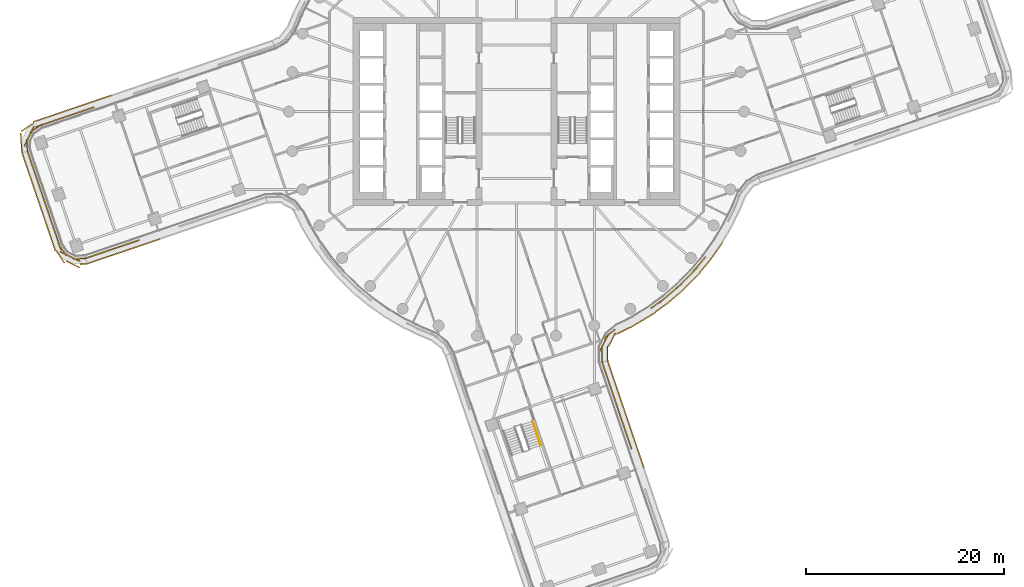
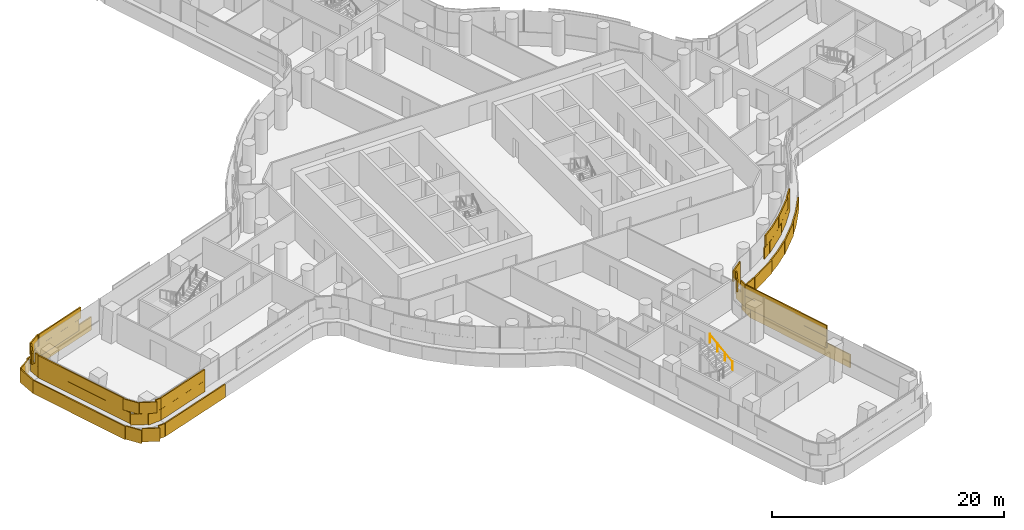
# One storey, part 24 of 29: 5 coverings, 1 railing.
"""IFC4 building model written with IfcOpenShell, lengths in metres."""

from ifc_helpers import new_model, si_unit, direction, frame, origin, origin_2d, place, context, subcontext, project, spatial, rectangle, circle, extrude, material, layer, layer_set, type_object, element, save


model = new_model("IFC4")

# Units and contexts
model_context = context("Model", 3, precision=1e-05, world=origin(), true_north=direction((0.0, 1.0)))
body_context = subcontext(model_context, "Body", "Model", "MODEL_VIEW")
ifc_project = project(units=[si_unit("LENGTHUNIT", "METRE"), si_unit("AREAUNIT", "SQUARE_METRE"), si_unit("VOLUMEUNIT", "CUBIC_METRE"), si_unit("PLANEANGLEUNIT", "RADIAN"), si_unit("MASSUNIT", "GRAM", prefix="KILO")], contexts=[model_context])

# Site, building, storey
site_placement = place(None, origin())
site = spatial("IfcSite", under=ifc_project, at=site_placement, CompositionType="ELEMENT")
building_placement = place(site_placement, origin())
building = spatial("IfcBuilding", under=site, at=building_placement, Name="Tamarind Cross Interchange Tower", CompositionType="ELEMENT")
storey_placement = place(building_placement, frame((0.0, 0.0, 102.25)))
storey = spatial("IfcBuildingStorey", under=building, at=storey_placement, Name="L24", CompositionType="ELEMENT", Elevation=102.25)

# Railing
ifc_material_1 = material(Name="Stair handrail")
railing_type = type_object("IfcRailingType", Name="Stair handrail", PredefinedType="HANDRAIL", material=ifc_material_1)
railing_placement = place(storey_placement, frame((2.463623046875, -33.732177734375, 2.04541015625)))
element("IfcRailing", 1, at=railing_placement, inside=storey, type_object=railing_type, Name="L24 ST6 stair handrail 2", PredefinedType="HANDRAIL", context=body_context, shape_type="SweptSolid", body=[
    extrude(circle(Radius=0.02392578125, at=origin_2d()), frame((0.0, 0.0, 0.8759765625), z_axis=(-0.269588544984, 0.791646408968, 0.548286402878), x_axis=(-0.946616378448, -0.322362268348, 0.0)), (0.0, 0.0, 1.0), 3.10888671875),
    extrude(circle(Radius=0.02099609375, at=origin_2d()), origin(), (0.0, 0.0, 1.0), 0.851806640625),
    extrude(circle(Radius=0.02099609375, at=origin_2d()), frame((-0.279296875, 0.8203125, 0.568115234375)), (0.0, 0.0, 1.0), 0.851806640625),
    extrude(circle(Radius=0.02099609375, at=origin_2d()), frame((-0.558837890625, 1.640869140625, 1.136474609375)), (0.0, 0.0, 1.0), 0.851806640625),
    extrude(circle(Radius=0.02099609375, at=origin_2d()), frame((-0.838134765625, 2.461181640625, 1.70458984375)), (0.0, 0.0, 1.0), 0.851806640625),
])

# Coverings
ifc_material_2 = material(Name="Terracotta", Category="masonry")
ifc_layer = layer(ifc_material_2, 0.1201171875)
ifc_layer_set = layer_set([ifc_layer], Name="Terracotta")
covering_type = type_object("IfcCoveringType", Name="Terracotta baguette screen unit", PredefinedType="MOLDING", material=ifc_layer_set)
covering_1_placement = place(storey_placement, origin())
element("IfcCovering", 2, at=covering_1_placement, inside=storey, type_object=covering_type, Name="SCR-L24-00-00", PredefinedType="MOLDING", context=body_context, shape_type="SweptSolid", body=[
    extrude(rectangle(XDim=1.510009765625, YDim=0.1201171875, at=origin_2d()), frame((-49.1572265625, -4.746337890625, 1.404052734375), z_axis=(0.0, 0.0, 1.0), x_axis=(0.322371434957, -0.946613256786, 0.0)), (0.0, 0.0, 1.0), 1.1669921875),
    extrude(rectangle(XDim=1.52001953125, YDim=0.1201171875, at=origin_2d()), frame((-48.673828125, -6.166259765625, 1.404052734375), z_axis=(0.0, 0.0, 1.0), x_axis=(0.322371434957, -0.946613256786, 0.0)), (0.0, 0.0, 1.0), 1.1669921875),
    extrude(rectangle(XDim=1.52001953125, YDim=0.1201171875, at=origin_2d()), frame((-48.190185546875, -7.586181640625, 1.404052734375), z_axis=(0.0, 0.0, 1.0), x_axis=(0.322371434957, -0.946613256786, 0.0)), (0.0, 0.0, 1.0), 1.1669921875),
    extrude(rectangle(XDim=1.52001953125, YDim=0.1201171875, at=origin_2d()), frame((-47.70654296875, -9.006103515625, 1.404052734375), z_axis=(0.0, 0.0, 1.0), x_axis=(0.322371434957, -0.946613256786, 0.0)), (0.0, 0.0, 1.0), 1.1669921875),
    extrude(rectangle(XDim=1.52001953125, YDim=0.1201171875, at=origin_2d()), frame((-47.22314453125, -10.426025390625, 1.404052734375), z_axis=(0.0, 0.0, 1.0), x_axis=(0.322371434957, -0.946613256786, 0.0)), (0.0, 0.0, 1.0), 1.1669921875),
    extrude(rectangle(XDim=1.52001953125, YDim=0.1201171875, at=origin_2d()), frame((-46.739501953125, -11.845947265625, 1.404052734375), z_axis=(0.0, 0.0, 1.0), x_axis=(0.322371434957, -0.946613256786, 0.0)), (0.0, 0.0, 1.0), 1.1669921875),
    extrude(rectangle(XDim=1.52001953125, YDim=0.1201171875, at=origin_2d()), frame((-46.255859375, -13.265869140625, 1.404052734375), z_axis=(0.0, 0.0, 1.0), x_axis=(0.322371434957, -0.946613256786, 0.0)), (0.0, 0.0, 1.0), 1.1669921875),
    extrude(rectangle(XDim=1.52001953125, YDim=0.1201171875, at=origin_2d()), frame((-45.4326171875, -14.4833984375, 1.404052734375), z_axis=(0.0, 0.0, 1.0), x_axis=(0.897307680754, -0.441405625316, 0.0)), (0.0, 0.0, 1.0), 1.1669921875),
    extrude(rectangle(XDim=1.259521484375, YDim=0.1201171875, at=origin_2d()), frame((-44.154052734375, -14.863525390625, 1.404052734375), z_axis=(0.0, 0.0, 1.0), x_axis=(0.997794059201, 0.06638535548, 0.0)), (0.0, 0.0, 1.0), 1.1669921875),
    extrude(rectangle(XDim=0.760009765625, YDim=0.1201171875, at=origin_2d()), frame((-49.278076171875, -4.391357421875, 2.5791015625), z_axis=(0.0, 0.0, 1.0), x_axis=(0.322371434957, -0.946613256786, 0.0)), (0.0, 0.0, 1.0), 1.1669921875),
    extrude(rectangle(XDim=1.52001953125, YDim=0.1201171875, at=origin_2d()), frame((-48.91552734375, -5.456298828125, 2.5791015625), z_axis=(0.0, 0.0, 1.0), x_axis=(0.322371434957, -0.946613256786, 0.0)), (0.0, 0.0, 1.0), 1.1669921875),
    extrude(rectangle(XDim=1.52001953125, YDim=0.1201171875, at=origin_2d()), frame((-48.431884765625, -6.876220703125, 2.5791015625), z_axis=(0.0, 0.0, 1.0), x_axis=(0.322371434957, -0.946613256786, 0.0)), (0.0, 0.0, 1.0), 1.1669921875),
    extrude(rectangle(XDim=1.52001953125, YDim=0.1201171875, at=origin_2d()), frame((-47.948486328125, -8.296142578125, 2.5791015625), z_axis=(0.0, 0.0, 1.0), x_axis=(0.322371434957, -0.946613256786, 0.0)), (0.0, 0.0, 1.0), 1.1669921875),
    extrude(rectangle(XDim=1.52001953125, YDim=0.1201171875, at=origin_2d()), frame((-47.46484375, -9.716064453125, 2.5791015625), z_axis=(0.0, 0.0, 1.0), x_axis=(0.322371434957, -0.946613256786, 0.0)), (0.0, 0.0, 1.0), 1.1669921875),
    extrude(rectangle(XDim=1.52001953125, YDim=0.1201171875, at=origin_2d()), frame((-46.981201171875, -11.135986328125, 2.5791015625), z_axis=(0.0, 0.0, 1.0), x_axis=(0.322371434957, -0.946613256786, 0.0)), (0.0, 0.0, 1.0), 1.1669921875),
    extrude(rectangle(XDim=1.52001953125, YDim=0.1201171875, at=origin_2d()), frame((-46.497802734375, -12.555908203125, 2.5791015625), z_axis=(0.0, 0.0, 1.0), x_axis=(0.322371434957, -0.946613256786, 0.0)), (0.0, 0.0, 1.0), 1.1669921875),
    extrude(rectangle(XDim=1.52001953125, YDim=0.1201171875, at=origin_2d()), frame((-45.90283203125, -13.920654296875, 2.5791015625), z_axis=(0.0, 0.0, 1.0), x_axis=(0.556388433886, -0.830922325274, 0.0)), (0.0, 0.0, 1.0), 1.1669921875),
    extrude(rectangle(XDim=1.52001953125, YDim=0.1201171875, at=origin_2d()), frame((-44.759521484375, -14.814453125, 2.5791015625), z_axis=(0.0, 0.0, 1.0), x_axis=(0.897307680754, -0.441405625316, 0.0)), (0.0, 0.0, 1.0), 1.1669921875),
    extrude(rectangle(XDim=0.509521484375, YDim=0.1201171875, at=origin_2d()), frame((-43.780029296875, -14.838623046875, 2.5791015625), z_axis=(0.0, 0.0, 1.0), x_axis=(0.997794059201, 0.06638535548, 0.0)), (0.0, 0.0, 1.0), 1.1669921875),
    extrude(rectangle(XDim=1.510009765625, YDim=0.1201171875, at=origin_2d()), frame((-49.723388671875, -4.864501953125, 0.00390625), z_axis=(0.0, 0.0, 1.0), x_axis=(0.322371434957, -0.946613256786, 0.0)), (0.0, 0.0, 1.0), 1.39208984375),
    extrude(rectangle(XDim=1.52001953125, YDim=0.1201171875, at=origin_2d()), frame((-49.241455078125, -6.27978515625, 0.00390625), z_axis=(0.0, 0.0, 1.0), x_axis=(0.322371434957, -0.946613256786, 0.0)), (0.0, 0.0, 1.0), 1.39208984375),
    extrude(rectangle(XDim=1.52001953125, YDim=0.1201171875, at=origin_2d()), frame((-48.7578125, -7.69970703125, 0.00390625), z_axis=(0.0, 0.0, 1.0), x_axis=(0.322371434957, -0.946613256786, 0.0)), (0.0, 0.0, 1.0), 1.39208984375),
    extrude(rectangle(XDim=1.52001953125, YDim=0.1201171875, at=origin_2d()), frame((-48.2744140625, -9.11962890625, 0.00390625), z_axis=(0.0, 0.0, 1.0), x_axis=(0.322371434957, -0.946613256786, 0.0)), (0.0, 0.0, 1.0), 1.39208984375),
    extrude(rectangle(XDim=1.52001953125, YDim=0.1201171875, at=origin_2d()), frame((-47.790771484375, -10.53955078125, 0.00390625), z_axis=(0.0, 0.0, 1.0), x_axis=(0.322371434957, -0.946613256786, 0.0)), (0.0, 0.0, 1.0), 1.39208984375),
    extrude(rectangle(XDim=1.52001953125, YDim=0.1201171875, at=origin_2d()), frame((-47.30712890625, -11.95947265625, 0.00390625), z_axis=(0.0, 0.0, 1.0), x_axis=(0.322371434957, -0.946613256786, 0.0)), (0.0, 0.0, 1.0), 1.39208984375),
    extrude(rectangle(XDim=1.52001953125, YDim=0.1201171875, at=origin_2d()), frame((-46.82373046875, -13.37939453125, 0.00390625), z_axis=(0.0, 0.0, 1.0), x_axis=(0.322371434957, -0.946613256786, 0.0)), (0.0, 0.0, 1.0), 1.39208984375),
    extrude(rectangle(XDim=1.52001953125, YDim=0.1201171875, at=origin_2d()), frame((-46.088623046875, -14.6748046875, 0.00390625), z_axis=(0.0, 0.0, 1.0), x_axis=(0.556388433886, -0.830922325274, 0.0)), (0.0, 0.0, 1.0), 1.39208984375),
    extrude(rectangle(XDim=1.52001953125, YDim=0.1201171875, at=origin_2d()), frame((-44.8193359375, -15.4248046875, 0.00390625), z_axis=(0.0, 0.0, 1.0), x_axis=(0.897307680754, -0.441405625316, 0.0)), (0.0, 0.0, 1.0), 1.39208984375),
    extrude(rectangle(XDim=0.6767578125, YDim=0.1201171875, at=origin_2d()), frame((-43.755126953125, -15.412353515625, 0.00390625), z_axis=(0.0, 0.0, 1.0), x_axis=(0.997794059201, 0.06638535548, 0.0)), (0.0, 0.0, 1.0), 1.39208984375),
])
covering_2_placement = place(storey_placement, origin())
element("IfcCovering", 3, at=covering_2_placement, inside=storey, type_object=covering_type, Name="SCR-L24-01-00", PredefinedType="MOLDING", context=body_context, shape_type="SweptSolid", body=[
    extrude(rectangle(XDim=1.510009765625, YDim=0.1201171875, at=origin_2d()), frame((-42.8203125, -14.58154296875, 1.404052734375), z_axis=(0.0, 0.0, 1.0), x_axis=(0.947092988773, 0.320959297445, 0.0)), (0.0, 0.0, 1.0), 1.1669921875),
    extrude(rectangle(XDim=1.52001953125, YDim=0.1201171875, at=origin_2d()), frame((-41.399658203125, -14.10009765625, 1.404052734375), z_axis=(0.0, 0.0, 1.0), x_axis=(0.947092988773, 0.320959297445, 0.0)), (0.0, 0.0, 1.0), 1.1669921875),
    extrude(rectangle(XDim=1.52001953125, YDim=0.1201171875, at=origin_2d()), frame((-39.97900390625, -13.61865234375, 1.404052734375), z_axis=(0.0, 0.0, 1.0), x_axis=(0.947092988773, 0.320959297445, 0.0)), (0.0, 0.0, 1.0), 1.1669921875),
    extrude(rectangle(XDim=1.256591796875, YDim=0.1201171875, at=origin_2d()), frame((-38.678466796875, -13.177734375, 1.404052734375), z_axis=(0.0, 0.0, 1.0), x_axis=(0.947092988773, 0.320959297445, 0.0)), (0.0, 0.0, 1.0), 1.1669921875),
    extrude(rectangle(XDim=0.760009765625, YDim=0.1201171875, at=origin_2d()), frame((-43.175537109375, -14.701904296875, 2.5791015625), z_axis=(0.0, 0.0, 1.0), x_axis=(0.947092988773, 0.320959297445, 0.0)), (0.0, 0.0, 1.0), 1.1669921875),
    extrude(rectangle(XDim=1.52001953125, YDim=0.1201171875, at=origin_2d()), frame((-42.110107421875, -14.3408203125, 2.5791015625), z_axis=(0.0, 0.0, 1.0), x_axis=(0.947092988773, 0.320959297445, 0.0)), (0.0, 0.0, 1.0), 1.1669921875),
    extrude(rectangle(XDim=1.52001953125, YDim=0.1201171875, at=origin_2d()), frame((-40.689453125, -13.859375, 2.5791015625), z_axis=(0.0, 0.0, 1.0), x_axis=(0.947092988773, 0.320959297445, 0.0)), (0.0, 0.0, 1.0), 1.1669921875),
    extrude(rectangle(XDim=1.52001953125, YDim=0.1201171875, at=origin_2d()), frame((-39.268798828125, -13.3779296875, 2.5791015625), z_axis=(0.0, 0.0, 1.0), x_axis=(0.947092988773, 0.320959297445, 0.0)), (0.0, 0.0, 1.0), 1.1669921875),
    extrude(rectangle(XDim=0.506591796875, YDim=0.1201171875, at=origin_2d()), frame((-38.3232421875, -13.057373046875, 2.5791015625), z_axis=(0.0, 0.0, 1.0), x_axis=(0.947092988773, 0.320959297445, 0.0)), (0.0, 0.0, 1.0), 1.1669921875),
    extrude(rectangle(XDim=1.510009765625, YDim=0.1201171875, at=origin_2d()), frame((-42.70263671875, -15.1474609375, 0.00390625), z_axis=(0.0, 0.0, 1.0), x_axis=(0.947092988773, 0.320959297445, 0.0)), (0.0, 0.0, 1.0), 1.39208984375),
    extrude(rectangle(XDim=1.52001953125, YDim=0.1201171875, at=origin_2d()), frame((-41.28662109375, -14.667724609375, 0.00390625), z_axis=(0.0, 0.0, 1.0), x_axis=(0.947092988773, 0.320959297445, 0.0)), (0.0, 0.0, 1.0), 1.39208984375),
    extrude(rectangle(XDim=1.52001953125, YDim=0.1201171875, at=origin_2d()), frame((-39.865966796875, -14.186279296875, 0.00390625), z_axis=(0.0, 0.0, 1.0), x_axis=(0.947092988773, 0.320959297445, 0.0)), (0.0, 0.0, 1.0), 1.39208984375),
    extrude(rectangle(XDim=1.52001953125, YDim=0.1201171875, at=origin_2d()), frame((-38.4453125, -13.704833984375, 0.00390625), z_axis=(0.0, 0.0, 1.0), x_axis=(0.947092988773, 0.320959297445, 0.0)), (0.0, 0.0, 1.0), 1.39208984375),
    extrude(rectangle(XDim=1.52001953125, YDim=0.1201171875, at=origin_2d()), frame((-37.024658203125, -13.223388671875, 0.00390625), z_axis=(0.0, 0.0, 1.0), x_axis=(0.947092988773, 0.320959297445, 0.0)), (0.0, 0.0, 1.0), 1.39208984375),
    extrude(rectangle(XDim=0.350341796875, YDim=0.1201171875, at=origin_2d()), frame((-36.157958984375, -12.9296875, 0.00390625), z_axis=(0.0, 0.0, 1.0), x_axis=(0.947092988773, 0.320959297445, 0.0)), (0.0, 0.0, 1.0), 1.39208984375),
])
covering_3_placement = place(storey_placement, origin())
element("IfcCovering", 4, at=covering_3_placement, inside=storey, type_object=covering_type, Name="SCR-L24-05-01", PredefinedType="MOLDING", context=body_context, shape_type="SweptSolid", body=[
    extrude(rectangle(XDim=0.5634765625, YDim=0.1201171875, at=origin_2d()), frame((11.541015625, -33.848388671875, 1.404052734375), z_axis=(0.0, 0.0, 1.0), x_axis=(-0.320959297445, 0.947092988773, 0.0)), (0.0, 0.0, 1.0), 1.1669921875),
    extrude(rectangle(XDim=1.52001953125, YDim=0.1201171875, at=origin_2d()), frame((11.21142578125, -32.8759765625, 1.404052734375), z_axis=(0.0, 0.0, 1.0), x_axis=(-0.320959297445, 0.947092988773, 0.0)), (0.0, 0.0, 1.0), 1.1669921875),
    extrude(rectangle(XDim=1.52001953125, YDim=0.1201171875, at=origin_2d()), frame((10.72998046875, -31.455322265625, 1.404052734375), z_axis=(0.0, 0.0, 1.0), x_axis=(-0.320959297445, 0.947092988773, 0.0)), (0.0, 0.0, 1.0), 1.1669921875),
    extrude(rectangle(XDim=1.52001953125, YDim=0.1201171875, at=origin_2d()), frame((10.24853515625, -30.03466796875, 1.404052734375), z_axis=(0.0, 0.0, 1.0), x_axis=(-0.320959297445, 0.947092988773, 0.0)), (0.0, 0.0, 1.0), 1.1669921875),
    extrude(rectangle(XDim=1.52001953125, YDim=0.1201171875, at=origin_2d()), frame((9.76708984375, -28.614013671875, 1.404052734375), z_axis=(0.0, 0.0, 1.0), x_axis=(-0.320959297445, 0.947092988773, 0.0)), (0.0, 0.0, 1.0), 1.1669921875),
    extrude(rectangle(XDim=1.52001953125, YDim=0.1201171875, at=origin_2d()), frame((9.28564453125, -27.193359375, 1.404052734375), z_axis=(0.0, 0.0, 1.0), x_axis=(-0.320959297445, 0.947092988773, 0.0)), (0.0, 0.0, 1.0), 1.1669921875),
    extrude(rectangle(XDim=1.270751953125, YDim=0.1201171875, at=origin_2d()), frame((8.842529296875, -25.885986328125, 1.404052734375), z_axis=(0.0, 0.0, 1.0), x_axis=(-0.320959297445, 0.947092988773, 0.0)), (0.0, 0.0, 1.0), 1.1669921875),
    extrude(rectangle(XDim=1.3134765625, YDim=0.1201171875, at=origin_2d()), frame((11.420654296875, -33.4931640625, 2.5791015625), z_axis=(0.0, 0.0, 1.0), x_axis=(-0.320959297445, 0.947092988773, 0.0)), (0.0, 0.0, 1.0), 1.1669921875),
    extrude(rectangle(XDim=1.52001953125, YDim=0.1201171875, at=origin_2d()), frame((10.970703125, -32.16552734375, 2.5791015625), z_axis=(0.0, 0.0, 1.0), x_axis=(-0.320959297445, 0.947092988773, 0.0)), (0.0, 0.0, 1.0), 1.1669921875),
    extrude(rectangle(XDim=1.52001953125, YDim=0.1201171875, at=origin_2d()), frame((10.4892578125, -30.744873046875, 2.5791015625), z_axis=(0.0, 0.0, 1.0), x_axis=(-0.320959297445, 0.947092988773, 0.0)), (0.0, 0.0, 1.0), 1.1669921875),
    extrude(rectangle(XDim=1.52001953125, YDim=0.1201171875, at=origin_2d()), frame((10.0078125, -29.32421875, 2.5791015625), z_axis=(0.0, 0.0, 1.0), x_axis=(-0.320959297445, 0.947092988773, 0.0)), (0.0, 0.0, 1.0), 1.1669921875),
    extrude(rectangle(XDim=1.52001953125, YDim=0.1201171875, at=origin_2d()), frame((9.5263671875, -27.903564453125, 2.5791015625), z_axis=(0.0, 0.0, 1.0), x_axis=(-0.320959297445, 0.947092988773, 0.0)), (0.0, 0.0, 1.0), 1.1669921875),
    extrude(rectangle(XDim=1.52001953125, YDim=0.1201171875, at=origin_2d()), frame((9.044921875, -26.48291015625, 2.5791015625), z_axis=(0.0, 0.0, 1.0), x_axis=(-0.320959297445, 0.947092988773, 0.0)), (0.0, 0.0, 1.0), 1.1669921875),
    extrude(rectangle(XDim=0.520751953125, YDim=0.1201171875, at=origin_2d()), frame((8.72216796875, -25.53076171875, 2.5791015625), z_axis=(0.0, 0.0, 1.0), x_axis=(-0.320959297445, 0.947092988773, 0.0)), (0.0, 0.0, 1.0), 1.1669921875),
    extrude(rectangle(XDim=1.169677734375, YDim=0.1201171875, at=origin_2d()), frame((12.685791015625, -35.438232421875, 0.00390625), z_axis=(0.0, 0.0, 1.0), x_axis=(-0.320959297445, 0.947092988773, 0.0)), (0.0, 0.0, 1.0), 1.39208984375),
    extrude(rectangle(XDim=1.52001953125, YDim=0.1201171875, at=origin_2d()), frame((12.260498046875, -34.183349609375, 0.00390625), z_axis=(0.0, 0.0, 1.0), x_axis=(-0.320959297445, 0.947092988773, 0.0)), (0.0, 0.0, 1.0), 1.39208984375),
    extrude(rectangle(XDim=1.52001953125, YDim=0.1201171875, at=origin_2d()), frame((11.779052734375, -32.7626953125, 0.00390625), z_axis=(0.0, 0.0, 1.0), x_axis=(-0.320959297445, 0.947092988773, 0.0)), (0.0, 0.0, 1.0), 1.39208984375),
    extrude(rectangle(XDim=1.52001953125, YDim=0.1201171875, at=origin_2d()), frame((11.297607421875, -31.342041015625, 0.00390625), z_axis=(0.0, 0.0, 1.0), x_axis=(-0.320959297445, 0.947092988773, 0.0)), (0.0, 0.0, 1.0), 1.39208984375),
    extrude(rectangle(XDim=1.52001953125, YDim=0.1201171875, at=origin_2d()), frame((10.816162109375, -29.92138671875, 0.00390625), z_axis=(0.0, 0.0, 1.0), x_axis=(-0.320959297445, 0.947092988773, 0.0)), (0.0, 0.0, 1.0), 1.39208984375),
    extrude(rectangle(XDim=1.52001953125, YDim=0.1201171875, at=origin_2d()), frame((10.334716796875, -28.5009765625, 0.00390625), z_axis=(0.0, 0.0, 1.0), x_axis=(-0.320959297445, 0.947092988773, 0.0)), (0.0, 0.0, 1.0), 1.39208984375),
    extrude(rectangle(XDim=1.52001953125, YDim=0.1201171875, at=origin_2d()), frame((9.853271484375, -27.080322265625, 0.00390625), z_axis=(0.0, 0.0, 1.0), x_axis=(-0.320959297445, 0.947092988773, 0.0)), (0.0, 0.0, 1.0), 1.39208984375),
    extrude(rectangle(XDim=1.25537109375, YDim=0.1201171875, at=origin_2d()), frame((9.414306640625, -25.784912109375, 0.00390625), z_axis=(0.0, 0.0, 1.0), x_axis=(-0.320959297445, 0.947092988773, 0.0)), (0.0, 0.0, 1.0), 1.39208984375),
])
covering_4_placement = place(storey_placement, origin())
element("IfcCovering", 5, at=covering_4_placement, inside=storey, type_object=covering_type, Name="SCR-L24-06-00", PredefinedType="MOLDING", context=body_context, shape_type="SweptSolid", body=[
    extrude(rectangle(XDim=1.510009765625, YDim=0.1201171875, at=origin_2d()), frame((8.629638671875, -24.5390625, 1.404052734375), z_axis=(0.0, 0.0, 1.0), x_axis=(-0.014161944655, 0.999899714633, 0.0)), (0.0, 0.0, 1.0), 1.1669921875),
    extrude(rectangle(XDim=1.52001953125, YDim=0.1201171875, at=origin_2d()), frame((8.96484375, -23.12255859375, 1.404052734375), z_axis=(0.0, 0.0, 1.0), x_axis=(0.456093142104, 0.889932045566, 0.0)), (0.0, 0.0, 1.0), 1.1669921875),
    extrude(rectangle(XDim=0.79638671875, YDim=0.1201171875, at=origin_2d()), frame((9.660888671875, -22.247802734375, 1.404052734375), z_axis=(0.0, 0.0, 1.0), x_axis=(0.781691079877, 0.623665820485, 0.0)), (0.0, 0.0, 1.0), 1.1669921875),
    extrude(rectangle(XDim=1.0234375, YDim=0.1201171875, at=origin_2d()), frame((13.9912109375, -19.58056640625, 1.404052734375), z_axis=(0.0, 0.0, 1.0), x_axis=(0.811340475102, 0.584573890505, 0.0)), (0.0, 0.0, 1.0), 1.1669921875),
    extrude(rectangle(XDim=1.52001953125, YDim=0.1201171875, at=origin_2d()), frame((15.00244140625, -18.835205078125, 1.404052734375), z_axis=(0.0, 0.0, 1.0), x_axis=(0.760295606781, 0.64957723968, 0.0)), (0.0, 0.0, 1.0), 1.1669921875),
    extrude(rectangle(XDim=1.52001953125, YDim=0.1201171875, at=origin_2d()), frame((16.142822265625, -17.86083984375, 1.404052734375), z_axis=(0.0, 0.0, 1.0), x_axis=(0.760295606781, 0.64957723968, 0.0)), (0.0, 0.0, 1.0), 1.1669921875),
    extrude(rectangle(XDim=1.52001953125, YDim=0.1201171875, at=origin_2d()), frame((17.217041015625, -16.815185546875, 1.404052734375), z_axis=(0.0, 0.0, 1.0), x_axis=(0.704057148523, 0.710143317658, 0.0)), (0.0, 0.0, 1.0), 1.1669921875),
    extrude(rectangle(XDim=1.52001953125, YDim=0.1201171875, at=origin_2d()), frame((18.2314453125, -15.711669921875, 1.404052734375), z_axis=(0.0, 0.0, 1.0), x_axis=(0.643009266048, 0.765858396687, 0.0)), (0.0, 0.0, 1.0), 1.1669921875),
    extrude(rectangle(XDim=0.622314453125, YDim=0.1201171875, at=origin_2d()), frame((18.910400390625, -14.90283203125, 1.404052734375), z_axis=(0.0, 0.0, 1.0), x_axis=(0.643009266048, 0.765858396687, 0.0)), (0.0, 0.0, 1.0), 1.1669921875),
    extrude(rectangle(XDim=0.760009765625, YDim=0.1201171875, at=origin_2d()), frame((8.635009765625, -24.9140625, 2.5791015625), z_axis=(0.0, 0.0, 1.0), x_axis=(-0.014161944655, 0.999899714633, 0.0)), (0.0, 0.0, 1.0), 1.1669921875),
    extrude(rectangle(XDim=1.52001953125, YDim=0.1201171875, at=origin_2d()), frame((8.622802734375, -23.7900390625, 2.5791015625), z_axis=(0.0, 0.0, 1.0), x_axis=(0.456093142104, 0.889932045566, 0.0)), (0.0, 0.0, 1.0), 1.1669921875),
    extrude(rectangle(XDim=1.52001953125, YDim=0.1201171875, at=origin_2d()), frame((9.353515625, -22.4931640625, 2.5791015625), z_axis=(0.0, 0.0, 1.0), x_axis=(0.781691079877, 0.623665820485, 0.0)), (0.0, 0.0, 1.0), 1.1669921875),
    extrude(rectangle(XDim=1.52001953125, YDim=0.1201171875, at=origin_2d()), frame((14.40234375, -19.284423828125, 2.5791015625), z_axis=(0.0, 0.0, 1.0), x_axis=(0.811340475102, 0.584573890505, 0.0)), (0.0, 0.0, 1.0), 1.1669921875),
    extrude(rectangle(XDim=1.52001953125, YDim=0.1201171875, at=origin_2d()), frame((15.572509765625, -18.347900390625, 2.5791015625), z_axis=(0.0, 0.0, 1.0), x_axis=(0.760295606781, 0.64957723968, 0.0)), (0.0, 0.0, 1.0), 1.1669921875),
    extrude(rectangle(XDim=1.52001953125, YDim=0.1201171875, at=origin_2d()), frame((16.68896484375, -17.34765625, 2.5791015625), z_axis=(0.0, 0.0, 1.0), x_axis=(0.704057148523, 0.710143317658, 0.0)), (0.0, 0.0, 1.0), 1.1669921875),
    extrude(rectangle(XDim=1.52001953125, YDim=0.1201171875, at=origin_2d()), frame((17.7451171875, -16.282470703125, 2.5791015625), z_axis=(0.0, 0.0, 1.0), x_axis=(0.704057148523, 0.710143317658, 0.0)), (0.0, 0.0, 1.0), 1.1669921875),
    extrude(rectangle(XDim=1.372314453125, YDim=0.1201171875, at=origin_2d()), frame((18.66943359375, -15.190185546875, 2.5791015625), z_axis=(0.0, 0.0, 1.0), x_axis=(0.643009266048, 0.765858396687, 0.0)), (0.0, 0.0, 1.0), 1.1669921875),
    extrude(rectangle(XDim=1.510009765625, YDim=0.1201171875, at=origin_2d()), frame((9.2021484375, -24.435546875, 0.00390625), z_axis=(0.0, 0.0, 1.0), x_axis=(-0.014161944655, 0.999899714633, 0.0)), (0.0, 0.0, 1.0), 1.39208984375),
    extrude(rectangle(XDim=1.52001953125, YDim=0.1201171875, at=origin_2d()), frame((9.647216796875, -23.049560546875, 0.00390625), z_axis=(0.0, 0.0, 1.0), x_axis=(0.456093142104, 0.889932045566, 0.0)), (0.0, 0.0, 1.0), 1.39208984375),
    extrude(rectangle(XDim=1.52001953125, YDim=0.1201171875, at=origin_2d()), frame((10.81884765625, -22.13916015625, 0.00390625), z_axis=(0.0, 0.0, 1.0), x_axis=(0.895831910961, 0.444393054967, 0.0)), (0.0, 0.0, 1.0), 1.39208984375),
    extrude(rectangle(XDim=1.52001953125, YDim=0.1201171875, at=origin_2d()), frame((12.148193359375, -21.4462890625, 0.00390625), z_axis=(0.0, 0.0, 1.0), x_axis=(0.856843065292, 0.515577308909, 0.0)), (0.0, 0.0, 1.0), 1.39208984375),
    extrude(rectangle(XDim=1.52001953125, YDim=0.1201171875, at=origin_2d()), frame((13.43359375, -20.6728515625, 0.00390625), z_axis=(0.0, 0.0, 1.0), x_axis=(0.856843065292, 0.515577308909, 0.0)), (0.0, 0.0, 1.0), 1.39208984375),
    extrude(rectangle(XDim=1.52001953125, YDim=0.1201171875, at=origin_2d()), frame((14.658203125, -19.8076171875, 0.00390625), z_axis=(0.0, 0.0, 1.0), x_axis=(0.811340475102, 0.584573890505, 0.0)), (0.0, 0.0, 1.0), 1.39208984375),
    extrude(rectangle(XDim=1.52001953125, YDim=0.1201171875, at=origin_2d()), frame((15.83447265625, -18.879150390625, 0.00390625), z_axis=(0.0, 0.0, 1.0), x_axis=(0.760295606781, 0.64957723968, 0.0)), (0.0, 0.0, 1.0), 1.39208984375),
    extrude(rectangle(XDim=1.52001953125, YDim=0.1201171875, at=origin_2d()), frame((16.960693359375, -17.88916015625, 0.00390625), z_axis=(0.0, 0.0, 1.0), x_axis=(0.704057148523, 0.710143317658, 0.0)), (0.0, 0.0, 1.0), 1.39208984375),
    extrude(rectangle(XDim=1.52001953125, YDim=0.1201171875, at=origin_2d()), frame((18.0166015625, -16.823974609375, 0.00390625), z_axis=(0.0, 0.0, 1.0), x_axis=(0.704057148523, 0.710143317658, 0.0)), (0.0, 0.0, 1.0), 1.39208984375),
    extrude(rectangle(XDim=1.52001953125, YDim=0.1201171875, at=origin_2d()), frame((18.998291015625, -15.69091796875, 0.00390625), z_axis=(0.0, 0.0, 1.0), x_axis=(0.643009266048, 0.765858396687, 0.0)), (0.0, 0.0, 1.0), 1.39208984375),
    extrude(rectangle(XDim=1.52001953125, YDim=0.1201171875, at=origin_2d()), frame((19.91845703125, -14.5078125, 0.00390625), z_axis=(0.0, 0.0, 1.0), x_axis=(0.577568978284, 0.816341886298, 0.0)), (0.0, 0.0, 1.0), 1.39208984375),
    extrude(rectangle(XDim=0.788330078125, YDim=0.1201171875, at=origin_2d()), frame((20.573486328125, -13.58203125, 0.00390625), z_axis=(0.0, 0.0, 1.0), x_axis=(0.577568978284, 0.816341886298, 0.0)), (0.0, 0.0, 1.0), 1.39208984375),
])
covering_5_placement = place(storey_placement, origin())
element("IfcCovering", 6, at=covering_5_placement, inside=storey, type_object=covering_type, Name="SCR-L24-15-02", PredefinedType="MOLDING", context=body_context, shape_type="SweptSolid", body=[
    extrude(rectangle(XDim=1.52001953125, YDim=0.1201171875, at=origin_2d()), frame((-43.615966796875, 0.12841796875, 1.404052734375), z_axis=(0.0, 0.0, 1.0), x_axis=(-0.946613256786, -0.322371434957, 0.0)), (0.0, 0.0, 1.0), 1.1669921875),
    extrude(rectangle(XDim=1.52001953125, YDim=0.1201171875, at=origin_2d()), frame((-45.035888671875, -0.35498046875, 1.404052734375), z_axis=(0.0, 0.0, 1.0), x_axis=(-0.946613256786, -0.322371434957, 0.0)), (0.0, 0.0, 1.0), 1.1669921875),
    extrude(rectangle(XDim=1.52001953125, YDim=0.1201171875, at=origin_2d()), frame((-46.455810546875, -0.838623046875, 1.404052734375), z_axis=(0.0, 0.0, 1.0), x_axis=(-0.946613256786, -0.322371434957, 0.0)), (0.0, 0.0, 1.0), 1.1669921875),
    extrude(rectangle(XDim=1.52001953125, YDim=0.1201171875, at=origin_2d()), frame((-47.875732421875, -1.322265625, 1.404052734375), z_axis=(0.0, 0.0, 1.0), x_axis=(-0.946613256786, -0.322371434957, 0.0)), (0.0, 0.0, 1.0), 1.1669921875),
    extrude(rectangle(XDim=1.52001953125, YDim=0.1201171875, at=origin_2d()), frame((-49.07568359375, -2.16552734375, 1.404052734375), z_axis=(0.0, 0.0, 1.0), x_axis=(-0.441405625316, -0.897307680754, 0.0)), (0.0, 0.0, 1.0), 1.1669921875),
    extrude(rectangle(XDim=1.224853515625, YDim=0.1201171875, at=origin_2d()), frame((-49.439453125, -3.43017578125, 1.404052734375), z_axis=(0.0, 0.0, 1.0), x_axis=(0.06638535548, -0.997794059201, 0.0)), (0.0, 0.0, 1.0), 1.1669921875),
    extrude(rectangle(XDim=1.01953125, YDim=0.1201171875, at=origin_2d()), frame((-43.13818359375, 0.291259765625, 2.5791015625), z_axis=(0.0, 0.0, 1.0), x_axis=(-0.946613256786, -0.322371434957, 0.0)), (0.0, 0.0, 1.0), 1.1669921875),
    extrude(rectangle(XDim=1.52001953125, YDim=0.1201171875, at=origin_2d()), frame((-44.325927734375, -0.11328125, 2.5791015625), z_axis=(0.0, 0.0, 1.0), x_axis=(-0.946613256786, -0.322371434957, 0.0)), (0.0, 0.0, 1.0), 1.1669921875),
    extrude(rectangle(XDim=1.52001953125, YDim=0.1201171875, at=origin_2d()), frame((-45.745849609375, -0.596923828125, 2.5791015625), z_axis=(0.0, 0.0, 1.0), x_axis=(-0.946613256786, -0.322371434957, 0.0)), (0.0, 0.0, 1.0), 1.1669921875),
    extrude(rectangle(XDim=1.52001953125, YDim=0.1201171875, at=origin_2d()), frame((-47.165771484375, -1.080322265625, 2.5791015625), z_axis=(0.0, 0.0, 1.0), x_axis=(-0.946613256786, -0.322371434957, 0.0)), (0.0, 0.0, 1.0), 1.1669921875),
    extrude(rectangle(XDim=1.52001953125, YDim=0.1201171875, at=origin_2d()), frame((-48.526611328125, -1.68359375, 2.5791015625), z_axis=(0.0, 0.0, 1.0), x_axis=(-0.830922325274, -0.556388433886, 0.0)), (0.0, 0.0, 1.0), 1.1669921875),
    extrude(rectangle(XDim=1.52001953125, YDim=0.1201171875, at=origin_2d()), frame((-49.40673828125, -2.838623046875, 2.5791015625), z_axis=(0.0, 0.0, 1.0), x_axis=(-0.441405625316, -0.897307680754, 0.0)), (0.0, 0.0, 1.0), 1.1669921875),
    extrude(rectangle(XDim=0.474853515625, YDim=0.1201171875, at=origin_2d()), frame((-49.41455078125, -3.804443359375, 2.5791015625), z_axis=(0.0, 0.0, 1.0), x_axis=(0.06638535548, -0.997794059201, 0.0)), (0.0, 0.0, 1.0), 1.1669921875),
    extrude(rectangle(XDim=0.85693359375, YDim=0.1201171875, at=origin_2d()), frame((-41.328857421875, 1.513671875, 0.00390625), z_axis=(0.0, 0.0, 1.0), x_axis=(-0.946613256786, -0.322371434957, 0.0)), (0.0, 0.0, 1.0), 1.39208984375),
    extrude(rectangle(XDim=1.52001953125, YDim=0.1201171875, at=origin_2d()), frame((-42.43505859375, 1.136962890625, 0.00390625), z_axis=(0.0, 0.0, 1.0), x_axis=(-0.946613256786, -0.322371434957, 0.0)), (0.0, 0.0, 1.0), 1.39208984375),
    extrude(rectangle(XDim=1.52001953125, YDim=0.1201171875, at=origin_2d()), frame((-43.85498046875, 0.653564453125, 0.00390625), z_axis=(0.0, 0.0, 1.0), x_axis=(-0.946613256786, -0.322371434957, 0.0)), (0.0, 0.0, 1.0), 1.39208984375),
    extrude(rectangle(XDim=1.52001953125, YDim=0.1201171875, at=origin_2d()), frame((-45.27490234375, 0.169921875, 0.00390625), z_axis=(0.0, 0.0, 1.0), x_axis=(-0.946613256786, -0.322371434957, 0.0)), (0.0, 0.0, 1.0), 1.39208984375),
    extrude(rectangle(XDim=1.52001953125, YDim=0.1201171875, at=origin_2d()), frame((-46.69482421875, -0.313720703125, 0.00390625), z_axis=(0.0, 0.0, 1.0), x_axis=(-0.946613256786, -0.322371434957, 0.0)), (0.0, 0.0, 1.0), 1.39208984375),
    extrude(rectangle(XDim=1.52001953125, YDim=0.1201171875, at=origin_2d()), frame((-48.11474609375, -0.797119140625, 0.00390625), z_axis=(0.0, 0.0, 1.0), x_axis=(-0.946613256786, -0.322371434957, 0.0)), (0.0, 0.0, 1.0), 1.39208984375),
    extrude(rectangle(XDim=1.52001953125, YDim=0.1201171875, at=origin_2d()), frame((-49.390869140625, -1.571533203125, 0.00390625), z_axis=(0.0, 0.0, 1.0), x_axis=(-0.830922325274, -0.556388433886, 0.0)), (0.0, 0.0, 1.0), 1.39208984375),
    extrude(rectangle(XDim=1.52001953125, YDim=0.1201171875, at=origin_2d()), frame((-50.0498046875, -2.90283203125, 0.00390625), z_axis=(0.0, 0.0, 1.0), x_axis=(0.06638535548, -0.997794059201, 0.0)), (0.0, 0.0, 1.0), 1.39208984375),
    extrude(rectangle(XDim=0.509765625, YDim=0.1201171875, at=origin_2d()), frame((-49.983642578125, -3.8955078125, 0.00390625), z_axis=(0.0, 0.0, 1.0), x_axis=(0.06638535548, -0.997794059201, 0.0)), (0.0, 0.0, 1.0), 1.39208984375),
])

save(model, "model.ifc")
